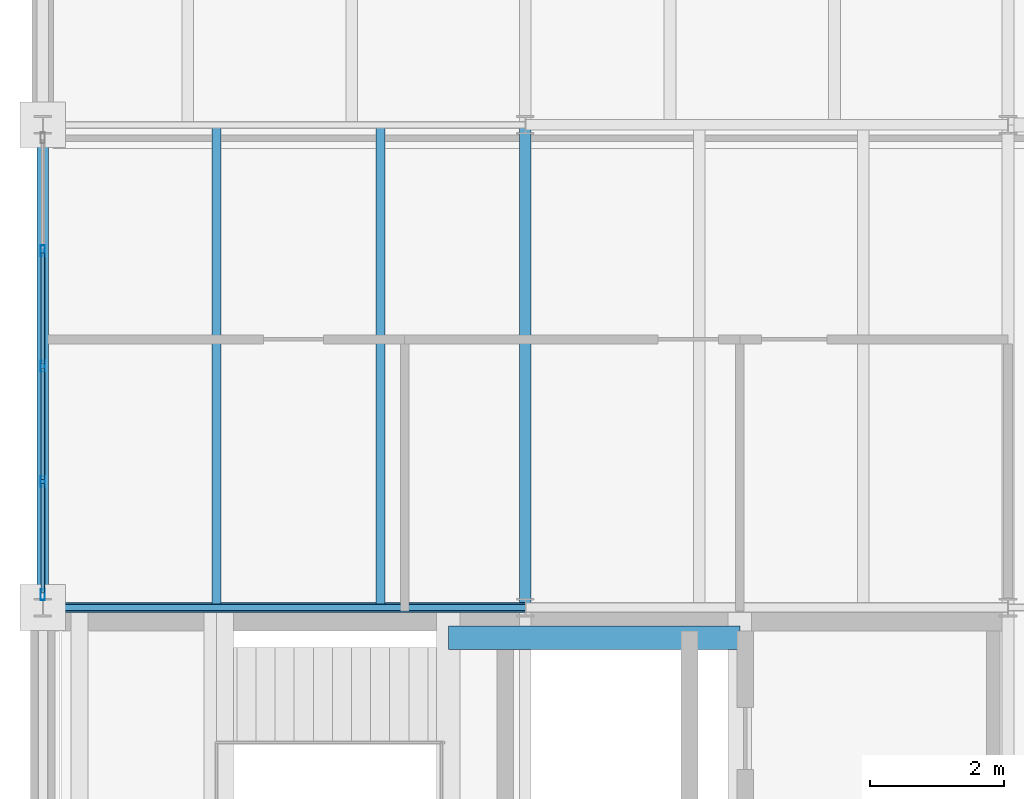
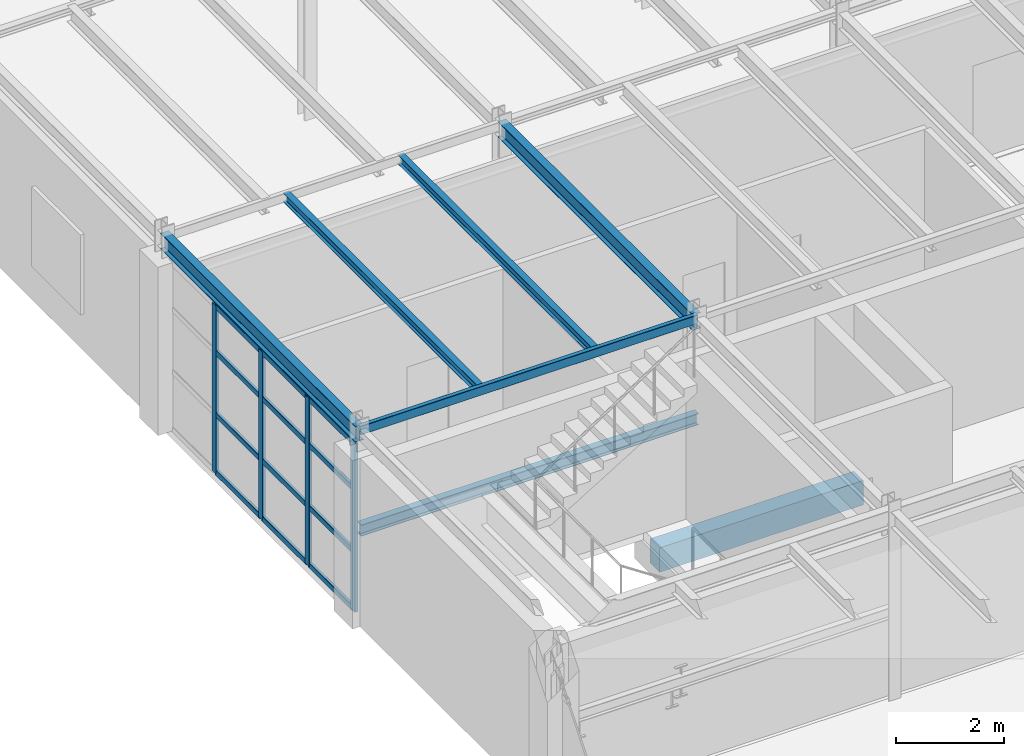
# One storey, part 40 of 101: 16 members, 7 beams, 1 element without a shape of its own.
"""IFC4 building model written with IfcOpenShell, lengths in metres."""

from ifc_helpers import new_model, si_unit, direction, frame, origin, origin_2d, place, context, subcontext, project, spatial, rectangle, hollow_rectangle, i_section, extrude, material, layer, layer_set, material_profile, profile_set, type_object, element, aggregate, save


model = new_model("IFC4")

# Units and contexts
model_context = context("Model", 3, precision=1e-05, world=origin(), true_north=direction((0.0, 1.0)))
body_context = subcontext(model_context, "Body", "Model", "MODEL_VIEW")
ifc_project = project(units=[si_unit("LENGTHUNIT", "METRE"), si_unit("AREAUNIT", "SQUARE_METRE"), si_unit("VOLUMEUNIT", "CUBIC_METRE"), si_unit("PLANEANGLEUNIT", "RADIAN"), si_unit("MASSUNIT", "GRAM", prefix="KILO")], contexts=[model_context])

# Site, building, storey
site_placement = place(None, origin())
site = spatial("IfcSite", under=ifc_project, at=site_placement, CompositionType="ELEMENT")
building_placement = place(site_placement, origin())
building = spatial("IfcBuilding", under=site, at=building_placement, Name="Kemerveld Promenade Tramway Depot", CompositionType="ELEMENT")
storey_placement = place(building_placement, frame((0.0, 0.0, 9.89990234375)))
storey = spatial("IfcBuildingStorey", under=building, at=storey_placement, Name="L02", CompositionType="ELEMENT", Elevation=9.89990234375)

# Beams
ifc_material_1 = material(Name="Steel S355", Category="steel")
ifc_material_profile_1 = material_profile(ifc_material_1, i_section(OverallWidth=0.172119140625, OverallDepth=0.35791015625, WebThickness=0.008056640625, FlangeThickness=0.012939453125, FilletRadius=0.01025390625, at=origin_2d()), Name="356x171x57 UB")
ifc_profile_set_1 = profile_set([ifc_material_profile_1], Name="Steel S355")
beam_type_1 = type_object("IfcBeamType", Name="BM-G08", PredefinedType="BEAM", material=ifc_profile_set_1)
for number, where, z_axis, x_axis, name in (
    (1, (0.0, 50.39990234375, 4.10107421875), (0.0, 1.0, 0.0), (-1.0, 0.0, 0.0), "BMY-L02-01-H-J"),
    (2, (7.199951171875, 50.39990234375, 4.10107421875), (0.0, 1.0, 0.0), (-1.0, 0.0, 0.0), "BMY-L02-02-H-J"),
):
    element("IfcBeam", number, at=place(storey_placement, frame(where, z_axis=z_axis, x_axis=x_axis)), inside=storey, type_object=beam_type_1, Name=name, PredefinedType="BEAM", context=body_context, shape_type="SweptSolid", body=[
        extrude(i_section(OverallWidth=0.172119140625, OverallDepth=0.35791015625, WebThickness=0.008056640625, FlangeThickness=0.012939453125, FilletRadius=0.01025390625, at=origin_2d()), origin(), (0.0, 0.0, 1.0), 7.2001953125),
    ])
ifc_material_profile_2 = material_profile(ifc_material_1, i_section(OverallWidth=0.146484375, OverallDepth=0.256103515625, WebThickness=0.00634765625, FlangeThickness=0.010986328125, FilletRadius=0.007568359375, at=origin_2d()), Name="254x146x37 UB")
ifc_profile_set_2 = profile_set([ifc_material_profile_2], Name="Steel S355")
beam_type_2 = type_object("IfcBeamType", Name="BM-J02", PredefinedType="JOIST", material=ifc_profile_set_2)
beam_1_placement = place(storey_placement, frame((0.0, 50.39990234375, 1.942138671875), z_axis=(1.0, 0.0, 0.0), x_axis=(0.0, 1.0, 0.0)))
element("IfcBeam", 3, at=beam_1_placement, inside=storey, type_object=beam_type_2, Name="BM-HLY-ST-02-L02-N", PredefinedType="JOIST", context=body_context, shape_type="SweptSolid", body=[
    extrude(i_section(OverallWidth=0.146484375, OverallDepth=0.256103515625, WebThickness=0.00634765625, FlangeThickness=0.010986328125, FilletRadius=0.007568359375, at=origin_2d()), origin(), (0.0, 0.0, 1.0), 7.199951171875),
])
ifc_material_profile_3 = material_profile(ifc_material_1, i_section(OverallWidth=0.13330078125, OverallDepth=0.203125, WebThickness=0.005615234375, FlangeThickness=0.0078125, FilletRadius=0.007568359375, at=origin_2d()), Name="203x133x25 UB")
ifc_profile_set_3 = profile_set([ifc_material_profile_3], Name="Steel S355")
beam_type_3 = type_object("IfcBeamType", Name="BM-J03", PredefinedType="JOIST", material=ifc_profile_set_3)
for number, where, z_axis, x_axis, name in (
    (4, (2.592041015625, 50.39990234375, 4.178466796875), (0.0, 1.0, 0.0), (-1.0, 0.0, 0.0), "JST-L02-01-H-1"),
    (5, (5.0400390625, 50.39990234375, 4.178466796875), (0.0, 1.0, 0.0), (-1.0, 0.0, 0.0), "JST-L02-01-H-2"),
):
    element("IfcBeam", number, at=place(storey_placement, frame(where, z_axis=z_axis, x_axis=x_axis)), inside=storey, type_object=beam_type_3, Name=name, PredefinedType="JOIST", context=body_context, shape_type="SweptSolid", body=[
        extrude(i_section(OverallWidth=0.13330078125, OverallDepth=0.203125, WebThickness=0.005615234375, FlangeThickness=0.0078125, FilletRadius=0.007568359375, at=origin_2d()), origin(), (0.0, 0.0, 1.0), 7.2001953125),
    ])
ifc_material_2 = material(Name="Concrete C40/50", Category="concrete")
ifc_material_profile_4 = material_profile(ifc_material_2, rectangle(XDim=0.35009765625, YDim=0.550048828125, at=origin_2d()), Name="RC-BM-350x550")
ifc_profile_set_4 = profile_set([ifc_material_profile_4], Name="Concrete C40/50")
beam_type_4 = type_object("IfcBeamType", Name="BM-RC3", PredefinedType="BEAM", material=ifc_profile_set_4)
beam_2_placement = place(storey_placement, frame((6.050048828125, 49.949951171875, -0.5048828125), z_axis=(1.0, 0.0, 0.0), x_axis=(0.0, 1.0, 0.0)))
element("IfcBeam", 6, at=beam_2_placement, inside=storey, type_object=beam_type_4, Name="BM-COREX-C2-L02-N", PredefinedType="BEAM", context=body_context, shape_type="SweptSolid", body=[
    extrude(rectangle(XDim=0.35009765625, YDim=0.550048828125, at=origin_2d()), origin(), (0.0, 0.0, 1.0), 4.349853515625),
])
ifc_material_profile_5 = material_profile(ifc_material_1, hollow_rectangle(XDim=0.10009765625, YDim=0.199951171875, WallThickness=0.008056640625, InnerFilletRadius=0.00390625, OuterFilletRadius=0.011962890625, at=origin_2d()), Name="200x100x8.0 RHS")
ifc_profile_set_5 = profile_set([ifc_material_profile_5], Name="Steel S355")
beam_type_5 = type_object("IfcBeamType", Name="BM-SP3", PredefinedType="SPANDREL", material=ifc_profile_set_5)
beam_3_placement = place(storey_placement, frame((0.0, 50.39990234375, 4.18017578125), z_axis=(1.0, 0.0, 0.0), x_axis=(0.0, 1.0, 0.0)))
element("IfcBeam", 7, at=beam_3_placement, inside=storey, type_object=beam_type_5, Name="BMX-L02-01-02-H", PredefinedType="SPANDREL", context=body_context, shape_type="SweptSolid", body=[
    extrude(hollow_rectangle(XDim=0.10009765625, YDim=0.199951171875, WallThickness=0.008056640625, InnerFilletRadius=0.00390625, OuterFilletRadius=0.011962890625, at=origin_2d()), origin(), (0.0, 0.0, 1.0), 7.199951171875),
])

# Curtain wall, members
ifc_material_3 = material(Name="Bronze anodised aluminium and solar glass", Category="aluminium")
ifc_layer = layer(ifc_material_3, 0.159912109375)
ifc_layer_set = layer_set([ifc_layer], Name="CW-SYS-11")
curtain_wall_type = type_object("IfcCurtainWallType", Name="CW-SYS-11", PredefinedType="USERDEFINED", material=ifc_layer_set)
curtain_wall_placement = place(storey_placement, origin())
curtain_wall = element("IfcCurtainWall", 8, at=curtain_wall_placement, inside=storey, type_object=curtain_wall_type, Name="CW-L02-V5W-08", ObjectType="GLAZED_CURTAIN_WALL", PredefinedType="USERDEFINED")
ifc_material_4 = material(Name="Bronze anodised aluminium", Category="aluminium")
ifc_material_profile_6 = material_profile(ifc_material_4, hollow_rectangle(XDim=0.06494140625, YDim=0.159912109375, WallThickness=0.00390625, InnerFilletRadius=0.001953125, OuterFilletRadius=0.00390625, at=origin_2d()), Name="CW-MUL-160x65")
ifc_profile_set_6 = profile_set([ifc_material_profile_6], Name="Bronze anodised aluminium")
member_type_1 = type_object("IfcMemberType", Name="CW-MUL-A", PredefinedType="MULLION", material=ifc_profile_set_6)
member_1_placement = place(storey_placement, frame((0.0, 50.590576171875, 0.0), z_axis=(0.0, 0.0, 1.0), x_axis=(-1.0, 0.0, 0.0)))
member_1 = element("IfcMember", 9, at=member_1_placement, type_object=member_type_1, Name="CW11 mullion 1", PredefinedType="MULLION", context=body_context, shape_type="SweptSolid", body=[
    extrude(hollow_rectangle(XDim=0.06494140625, YDim=0.159912109375, WallThickness=0.00390625, InnerFilletRadius=0.001953125, OuterFilletRadius=0.00390625, at=origin_2d()), origin(), (0.0, 0.0, 1.0), 3.800048828125),
])
member_2_placement = place(storey_placement, frame((0.0, 52.279052734375, 0.0), z_axis=(0.0, 0.0, 1.0), x_axis=(-1.0, 0.0, 0.0)))
member_2 = element("IfcMember", 10, at=member_2_placement, type_object=member_type_1, Name="CW11 mullion 2", PredefinedType="MULLION", context=body_context, shape_type="SweptSolid", body=[
    extrude(hollow_rectangle(XDim=0.06494140625, YDim=0.159912109375, WallThickness=0.00390625, InnerFilletRadius=0.001953125, OuterFilletRadius=0.00390625, at=origin_2d()), origin(), (0.0, 0.0, 1.0), 3.800048828125),
])
member_3_placement = place(storey_placement, frame((0.0, 54.0, 0.0), z_axis=(0.0, 0.0, 1.0), x_axis=(-1.0, 0.0, 0.0)))
member_3 = element("IfcMember", 11, at=member_3_placement, type_object=member_type_1, Name="CW11 mullion 3", PredefinedType="MULLION", context=body_context, shape_type="SweptSolid", body=[
    extrude(hollow_rectangle(XDim=0.06494140625, YDim=0.159912109375, WallThickness=0.00390625, InnerFilletRadius=0.001953125, OuterFilletRadius=0.00390625, at=origin_2d()), origin(), (0.0, 0.0, 1.0), 3.800048828125),
])
member_4_placement = place(storey_placement, frame((0.0, 55.720947265625, 0.0), z_axis=(0.0, 0.0, 1.0), x_axis=(-1.0, 0.0, 0.0)))
member_4 = element("IfcMember", 12, at=member_4_placement, type_object=member_type_1, Name="CW11 mullion 4", PredefinedType="MULLION", context=body_context, shape_type="SweptSolid", body=[
    extrude(hollow_rectangle(XDim=0.06494140625, YDim=0.159912109375, WallThickness=0.00390625, InnerFilletRadius=0.001953125, OuterFilletRadius=0.00390625, at=origin_2d()), origin(), (0.0, 0.0, 1.0), 3.800048828125),
])
ifc_material_profile_7 = material_profile(ifc_material_4, hollow_rectangle(XDim=0.06005859375, YDim=0.1201171875, WallThickness=0.00390625, InnerFilletRadius=0.001953125, OuterFilletRadius=0.00390625, at=origin_2d()), Name="CW-TRN-120x60")
ifc_profile_set_7 = profile_set([ifc_material_profile_7], Name="Bronze anodised aluminium")
member_type_2 = type_object("IfcMemberType", Name="CW-TRN-A", PredefinedType="USERDEFINED", material=ifc_profile_set_7)
member_5_placement = place(storey_placement, frame((0.0, 50.623046875, 0.030029296875), z_axis=(0.0, 1.0, 0.0), x_axis=(-1.0, 0.0, 0.0)))
member_5 = element("IfcMember", 13, at=member_5_placement, type_object=member_type_2, Name="CW11 transom 1.1", ObjectType="TRANSOM", PredefinedType="USERDEFINED", context=body_context, shape_type="SweptSolid", body=[
    extrude(hollow_rectangle(XDim=0.06005859375, YDim=0.1201171875, WallThickness=0.00390625, InnerFilletRadius=0.001953125, OuterFilletRadius=0.00390625, at=origin_2d()), origin(), (0.0, 0.0, 1.0), 1.62353515625),
])
member_6_placement = place(storey_placement, frame((0.0, 50.623046875, 1.330078125), z_axis=(0.0, 1.0, 0.0), x_axis=(-1.0, 0.0, 0.0)))
member_6 = element("IfcMember", 14, at=member_6_placement, type_object=member_type_2, Name="CW11 transom 1.2", ObjectType="TRANSOM", PredefinedType="USERDEFINED", context=body_context, shape_type="SweptSolid", body=[
    extrude(hollow_rectangle(XDim=0.06005859375, YDim=0.1201171875, WallThickness=0.00390625, InnerFilletRadius=0.001953125, OuterFilletRadius=0.00390625, at=origin_2d()), origin(), (0.0, 0.0, 1.0), 1.62353515625),
])
member_7_placement = place(storey_placement, frame((0.0, 50.623046875, 2.736083984375), z_axis=(0.0, 1.0, 0.0), x_axis=(-1.0, 0.0, 0.0)))
member_7 = element("IfcMember", 15, at=member_7_placement, type_object=member_type_2, Name="CW11 transom 1.3", ObjectType="TRANSOM", PredefinedType="USERDEFINED", context=body_context, shape_type="SweptSolid", body=[
    extrude(hollow_rectangle(XDim=0.06005859375, YDim=0.1201171875, WallThickness=0.00390625, InnerFilletRadius=0.001953125, OuterFilletRadius=0.00390625, at=origin_2d()), origin(), (0.0, 0.0, 1.0), 1.62353515625),
])
member_8_placement = place(storey_placement, frame((0.0, 50.623046875, 3.77001953125), z_axis=(0.0, 1.0, 0.0), x_axis=(-1.0, 0.0, 0.0)))
member_8 = element("IfcMember", 16, at=member_8_placement, type_object=member_type_2, Name="CW11 transom 1.4", ObjectType="TRANSOM", PredefinedType="USERDEFINED", context=body_context, shape_type="SweptSolid", body=[
    extrude(hollow_rectangle(XDim=0.06005859375, YDim=0.1201171875, WallThickness=0.00390625, InnerFilletRadius=0.001953125, OuterFilletRadius=0.00390625, at=origin_2d()), origin(), (0.0, 0.0, 1.0), 1.62353515625),
])
member_9_placement = place(storey_placement, frame((0.0, 52.3115234375, 0.030029296875), z_axis=(0.0, 1.0, 0.0), x_axis=(-1.0, 0.0, 0.0)))
member_9 = element("IfcMember", 17, at=member_9_placement, type_object=member_type_2, Name="CW11 transom 2.1", ObjectType="TRANSOM", PredefinedType="USERDEFINED", context=body_context, shape_type="SweptSolid", body=[
    extrude(hollow_rectangle(XDim=0.06005859375, YDim=0.1201171875, WallThickness=0.00390625, InnerFilletRadius=0.001953125, OuterFilletRadius=0.00390625, at=origin_2d()), origin(), (0.0, 0.0, 1.0), 1.656005859375),
])
member_10_placement = place(storey_placement, frame((0.0, 52.3115234375, 1.330078125), z_axis=(0.0, 1.0, 0.0), x_axis=(-1.0, 0.0, 0.0)))
member_10 = element("IfcMember", 18, at=member_10_placement, type_object=member_type_2, Name="CW11 transom 2.2", ObjectType="TRANSOM", PredefinedType="USERDEFINED", context=body_context, shape_type="SweptSolid", body=[
    extrude(hollow_rectangle(XDim=0.06005859375, YDim=0.1201171875, WallThickness=0.00390625, InnerFilletRadius=0.001953125, OuterFilletRadius=0.00390625, at=origin_2d()), origin(), (0.0, 0.0, 1.0), 1.656005859375),
])
member_11_placement = place(storey_placement, frame((0.0, 52.3115234375, 2.736083984375), z_axis=(0.0, 1.0, 0.0), x_axis=(-1.0, 0.0, 0.0)))
member_11 = element("IfcMember", 19, at=member_11_placement, type_object=member_type_2, Name="CW11 transom 2.3", ObjectType="TRANSOM", PredefinedType="USERDEFINED", context=body_context, shape_type="SweptSolid", body=[
    extrude(hollow_rectangle(XDim=0.06005859375, YDim=0.1201171875, WallThickness=0.00390625, InnerFilletRadius=0.001953125, OuterFilletRadius=0.00390625, at=origin_2d()), origin(), (0.0, 0.0, 1.0), 1.656005859375),
])
member_12_placement = place(storey_placement, frame((0.0, 52.3115234375, 3.77001953125), z_axis=(0.0, 1.0, 0.0), x_axis=(-1.0, 0.0, 0.0)))
member_12 = element("IfcMember", 20, at=member_12_placement, type_object=member_type_2, Name="CW11 transom 2.4", ObjectType="TRANSOM", PredefinedType="USERDEFINED", context=body_context, shape_type="SweptSolid", body=[
    extrude(hollow_rectangle(XDim=0.06005859375, YDim=0.1201171875, WallThickness=0.00390625, InnerFilletRadius=0.001953125, OuterFilletRadius=0.00390625, at=origin_2d()), origin(), (0.0, 0.0, 1.0), 1.656005859375),
])
member_13_placement = place(storey_placement, frame((0.0, 54.032470703125, 0.030029296875), z_axis=(0.0, 1.0, 0.0), x_axis=(-1.0, 0.0, 0.0)))
member_13 = element("IfcMember", 21, at=member_13_placement, type_object=member_type_2, Name="CW11 transom 3.1", ObjectType="TRANSOM", PredefinedType="USERDEFINED", context=body_context, shape_type="SweptSolid", body=[
    extrude(hollow_rectangle(XDim=0.06005859375, YDim=0.1201171875, WallThickness=0.00390625, InnerFilletRadius=0.001953125, OuterFilletRadius=0.00390625, at=origin_2d()), origin(), (0.0, 0.0, 1.0), 1.656005859375),
])
member_14_placement = place(storey_placement, frame((0.0, 54.032470703125, 1.330078125), z_axis=(0.0, 1.0, 0.0), x_axis=(-1.0, 0.0, 0.0)))
member_14 = element("IfcMember", 22, at=member_14_placement, type_object=member_type_2, Name="CW11 transom 3.2", ObjectType="TRANSOM", PredefinedType="USERDEFINED", context=body_context, shape_type="SweptSolid", body=[
    extrude(hollow_rectangle(XDim=0.06005859375, YDim=0.1201171875, WallThickness=0.00390625, InnerFilletRadius=0.001953125, OuterFilletRadius=0.00390625, at=origin_2d()), origin(), (0.0, 0.0, 1.0), 1.656005859375),
])
member_15_placement = place(storey_placement, frame((0.0, 54.032470703125, 2.736083984375), z_axis=(0.0, 1.0, 0.0), x_axis=(-1.0, 0.0, 0.0)))
member_15 = element("IfcMember", 23, at=member_15_placement, type_object=member_type_2, Name="CW11 transom 3.3", ObjectType="TRANSOM", PredefinedType="USERDEFINED", context=body_context, shape_type="SweptSolid", body=[
    extrude(hollow_rectangle(XDim=0.06005859375, YDim=0.1201171875, WallThickness=0.00390625, InnerFilletRadius=0.001953125, OuterFilletRadius=0.00390625, at=origin_2d()), origin(), (0.0, 0.0, 1.0), 1.656005859375),
])
member_16_placement = place(storey_placement, frame((0.0, 54.032470703125, 3.77001953125), z_axis=(0.0, 1.0, 0.0), x_axis=(-1.0, 0.0, 0.0)))
member_16 = element("IfcMember", 24, at=member_16_placement, type_object=member_type_2, Name="CW11 transom 3.4", ObjectType="TRANSOM", PredefinedType="USERDEFINED", context=body_context, shape_type="SweptSolid", body=[
    extrude(hollow_rectangle(XDim=0.06005859375, YDim=0.1201171875, WallThickness=0.00390625, InnerFilletRadius=0.001953125, OuterFilletRadius=0.00390625, at=origin_2d()), origin(), (0.0, 0.0, 1.0), 1.656005859375),
])
aggregate(curtain_wall, [member_1, member_2, member_3, member_4, member_5, member_6, member_7, member_8, member_9, member_10, member_11, member_12, member_13, member_14, member_15, member_16])

save(model, "model.ifc")
